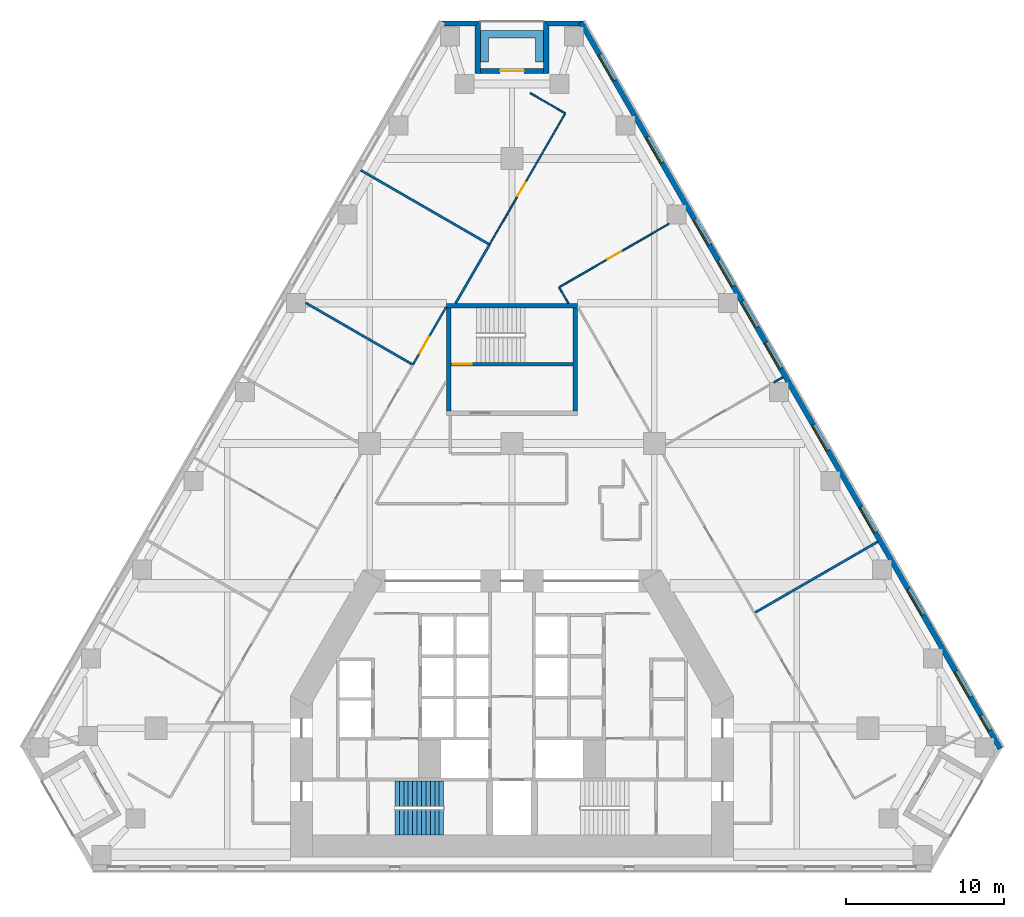
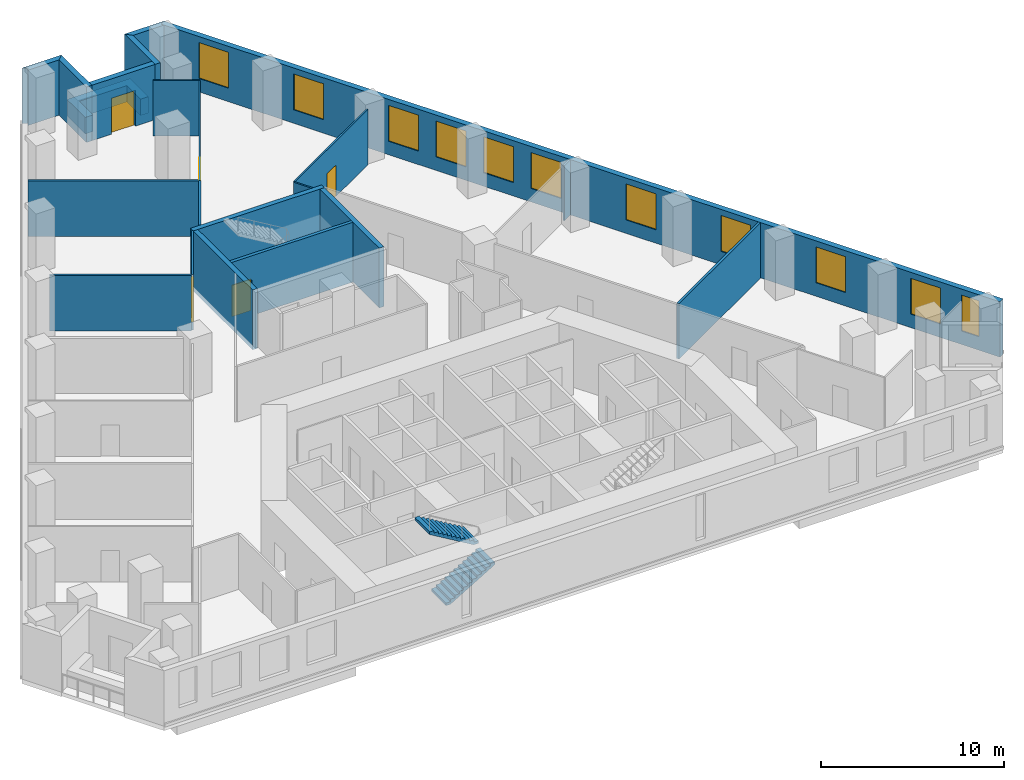
# One storey, part 7 of 9: 21 walls, 11 windows, 5 doors, 2 stair flights, 16 openings, 1 element without a shape of its own.
"""IFC4 building model written with IfcOpenShell, lengths in metres."""

from ifc_helpers import new_model, si_unit, direction, frame, frame_2d, origin, place, context, subcontext, project, spatial, polyline, rectangle, outline, extrude, material, layer, layer_set, type_object, element, fill, aggregate, save


model = new_model("IFC4")

# Units and contexts
model_context = context("Model", 3, precision=1e-05, world=origin(), true_north=direction((0.0, 1.0)))
body_context = subcontext(model_context, "Body", "Model", "MODEL_VIEW")
ifc_project = project(units=[si_unit("LENGTHUNIT", "METRE"), si_unit("AREAUNIT", "SQUARE_METRE"), si_unit("VOLUMEUNIT", "CUBIC_METRE"), si_unit("PLANEANGLEUNIT", "RADIAN"), si_unit("MASSUNIT", "GRAM", prefix="KILO")], contexts=[model_context])

# Site, building, storey
site_placement = place(None, origin())
site = spatial("IfcSite", under=ifc_project, at=site_placement, CompositionType="ELEMENT")
building_placement = place(site_placement, origin())
building = spatial("IfcBuilding", under=site, at=building_placement, Name="Fogline Exchange Tower", CompositionType="ELEMENT")
storey_placement = place(building_placement, frame((0.0, 0.0, 76.89990234375)))
storey = spatial("IfcBuildingStorey", under=building, at=storey_placement, Name="L16", CompositionType="ELEMENT", Elevation=76.89990234375)

# Wall, opening, door
ifc_material_1 = material(Name="Concrete C40", Category="concrete")
ifc_layer_1 = layer(ifc_material_1, 0.199951171875)
ifc_layer_set_1 = layer_set([ifc_layer_1], Name="CW20R")
wall_type_1 = type_object("IfcWallType", Name="CW20R", PredefinedType="SOLIDWALL", material=ifc_layer_set_1)
wall_1_placement = place(storey_placement, frame((-3.85009765625, 32.007080078125, -0.2998046875), z_axis=(0.0, 0.0, 1.0), x_axis=(1.0, 0.0, 0.0)))
wall_1 = element("IfcWall", 1, at=wall_1_placement, inside=storey, type_object=wall_type_1, Name="Stair enclosure wall ST3", PredefinedType="SOLIDWALL", context=body_context, shape_type="SweptSolid", body=[
    extrude(rectangle(XDim=7.7001953125, YDim=0.199951171875, at=frame_2d((3.85009765625, 0.0))), origin(), (0.0, 0.0, 1.0), 4.0),
])
opening_1_placement = place(wall_1_placement, frame((0.10009765625, 0.0, 0.300048828125)))
opening_1 = element("IfcOpeningElement", 2, at=opening_1_placement, cuts=wall_1, Name="Opening T05-C024", PredefinedType="OPENING", context=body_context, shape_type="SweptSolid", body=[
    extrude(rectangle(XDim=1.199951171875, YDim=2.10009765625, at=frame_2d((0.60009765625, 1.050048828125))), frame((0.0, 0.10986328125, 0.0), z_axis=(0.0, -1.0, 0.0), x_axis=(1.0, 0.0, 0.0)), (0.0, 0.0, 1.0), 0.219970703125),
])
ifc_material_2 = material(Name="Steel and timber fire door", Category="steel")
door_type_1 = type_object("IfcDoorType", Name="D-ST1", OperationType="SINGLE_SWING_LEFT", PredefinedType="DOOR", material=ifc_material_2)
door_1_placement = place(opening_1_placement, origin())
door_1 = element("IfcDoor", 3, at=door_1_placement, inside=storey, type_object=door_type_1, Name="Stair door ST3", OperationType="SINGLE_SWING_LEFT", OverallHeight=2.10009765625, OverallWidth=1.199951171875, PredefinedType="DOOR", context=body_context, shape_type="SweptSolid", body=[
    extrude(rectangle(XDim=1.199951171875, YDim=2.10009765625, at=frame_2d((0.60009765625, 1.050048828125))), frame((0.0, 0.02490234375, 0.0), z_axis=(0.0, -1.0, 0.0), x_axis=(1.0, 0.0, 0.0)), (0.0, 0.0, 1.0), 0.050048828125),
])
fill(opening_1, door_1)

# Walls
ifc_layer_2 = layer(ifc_material_1, 0.300048828125)
ifc_layer_set_2 = layer_set([ifc_layer_2], Name="CW30")
wall_type_2 = type_object("IfcWallType", Name="CW30", PredefinedType="SOLIDWALL", material=ifc_layer_set_2)
wall_2_placement = place(storey_placement, frame((-4.14990234375, 35.70703125, -0.2998046875), z_axis=(0.0, 0.0, 1.0), x_axis=(1.0, 0.0, 0.0)))
element("IfcWall", 4, at=wall_2_placement, inside=storey, type_object=wall_type_2, Name="Stair enclosure wall ST3", PredefinedType="SOLIDWALL", context=body_context, shape_type="SweptSolid", body=[
    extrude(rectangle(XDim=8.2998046875, YDim=0.300048828125, at=frame_2d((4.14990234375, 0.0))), origin(), (0.0, 0.0, 1.0), 4.0),
])
for number, where, z_axis, x_axis, name in (
    (5, (-4.0, 29.056884765625, -0.2998046875), (0.0, 0.0, 1.0), (0.0, 1.0, 0.0), "Stair enclosure wall ST3"),
    (6, (4.0, 29.056884765625, -0.2998046875), (0.0, 0.0, 1.0), (0.0, 1.0, 0.0), "Stair enclosure wall ST3"),
):
    element("IfcWall", number, at=place(storey_placement, frame(where, z_axis=z_axis, x_axis=x_axis)), inside=storey, type_object=wall_type_2, Name=name, PredefinedType="SOLIDWALL", context=body_context, shape_type="SweptSolid", body=[
        extrude(rectangle(XDim=6.5, YDim=0.300048828125, at=frame_2d((3.25, 0.0))), origin(), (0.0, 0.0, 1.0), 4.0),
    ])

# Wall, openings, windows
ifc_material_3 = material(Name="Brick masonry", Category="masonry")
ifc_layer_3 = layer(ifc_material_3, 0.340087890625)
ifc_layer_set_3 = layer_set([ifc_layer_3], Name="FW1")
wall_type_3 = type_object("IfcWallType", Name="FW1", PredefinedType="SOLIDWALL", material=ifc_layer_set_3)
wall_3_placement = place(storey_placement, frame((30.86328125, 7.709228515625, 0.0), z_axis=(0.0, 0.0, 1.0), x_axis=(-0.500000400847, 0.866025172355, 0.0)))
wall_3 = element("IfcWall", 7, at=wall_3_placement, inside=storey, type_object=wall_type_3, Name="Brick wall L16 E", PredefinedType="SOLIDWALL", context=body_context, shape_type="SweptSolid", body=[
    extrude(rectangle(XDim=53.02099609375, YDim=0.340087890625, at=frame_2d((26.510498046875, 0.0))), origin(), (0.0, 0.0, 1.0), 3.7001953125),
])
opening_2_placement = place(wall_3_placement, frame((3.755126953125, 0.0, 0.89990234375)))
opening_2 = element("IfcOpeningElement", 8, at=opening_2_placement, cuts=wall_3, Name="Opening W1", PredefinedType="OPENING", context=body_context, shape_type="SweptSolid", body=[
    extrude(rectangle(XDim=1.885009765625, YDim=2.39990234375, at=frame_2d((0.9423828125, 1.199951171875))), frame((0.0, 0.18017578125, 0.0), z_axis=(0.0, -1.0, 0.0), x_axis=(1.0, 0.0, 0.0)), (0.0, 0.0, 1.0), 0.360107421875),
])
opening_3_placement = place(wall_3_placement, frame((9.755126953125, 0.0, 0.89990234375)))
opening_3 = element("IfcOpeningElement", 9, at=opening_3_placement, cuts=wall_3, Name="Opening W1", PredefinedType="OPENING", context=body_context, shape_type="SweptSolid", body=[
    extrude(rectangle(XDim=1.885009765625, YDim=2.39990234375, at=frame_2d((0.9423828125, 1.199951171875))), frame((0.0, 0.18017578125, 0.0), z_axis=(0.0, -1.0, 0.0), x_axis=(1.0, 0.0, 0.0)), (0.0, 0.0, 1.0), 0.360107421875),
])
opening_4_placement = place(wall_3_placement, frame((15.755126953125, 0.0, 0.89990234375)))
opening_4 = element("IfcOpeningElement", 10, at=opening_4_placement, cuts=wall_3, Name="Opening W1", PredefinedType="OPENING", context=body_context, shape_type="SweptSolid", body=[
    extrude(rectangle(XDim=1.885009765625, YDim=2.39990234375, at=frame_2d((0.9423828125, 1.199951171875))), frame((0.0, 0.18017578125, 0.0), z_axis=(0.0, -1.0, 0.0), x_axis=(1.0, 0.0, 0.0)), (0.0, 0.0, 1.0), 0.360107421875),
])
opening_5_placement = place(wall_3_placement, frame((21.755126953125, 0.0, 0.89990234375)))
opening_5 = element("IfcOpeningElement", 11, at=opening_5_placement, cuts=wall_3, Name="Opening W1", PredefinedType="OPENING", context=body_context, shape_type="SweptSolid", body=[
    extrude(rectangle(XDim=1.885009765625, YDim=2.39990234375, at=frame_2d((0.9423828125, 1.199951171875))), frame((0.0, 0.18017578125, 0.0), z_axis=(0.0, -1.0, 0.0), x_axis=(1.0, 0.0, 0.0)), (0.0, 0.0, 1.0), 0.360107421875),
])
opening_6_placement = place(wall_3_placement, frame((27.755126953125, 0.0, 0.89990234375)))
opening_6 = element("IfcOpeningElement", 12, at=opening_6_placement, cuts=wall_3, Name="Opening W1", PredefinedType="OPENING", context=body_context, shape_type="SweptSolid", body=[
    extrude(rectangle(XDim=1.885009765625, YDim=2.39990234375, at=frame_2d((0.9423828125, 1.199951171875))), frame((0.0, 0.18017578125, 0.0), z_axis=(0.0, -1.0, 0.0), x_axis=(1.0, 0.0, 0.0)), (0.0, 0.0, 1.0), 0.360107421875),
])
opening_7_placement = place(wall_3_placement, frame((30.755126953125, 0.0, 0.89990234375)))
opening_7 = element("IfcOpeningElement", 13, at=opening_7_placement, cuts=wall_3, Name="Opening W1", PredefinedType="OPENING", context=body_context, shape_type="SweptSolid", body=[
    extrude(rectangle(XDim=1.885009765625, YDim=2.39990234375, at=frame_2d((0.9423828125, 1.199951171875))), frame((0.0, 0.18017578125, 0.0), z_axis=(0.0, -1.0, 0.0), x_axis=(1.0, 0.0, 0.0)), (0.0, 0.0, 1.0), 0.360107421875),
])
opening_8_placement = place(wall_3_placement, frame((33.755126953125, 0.0, 0.89990234375)))
opening_8 = element("IfcOpeningElement", 14, at=opening_8_placement, cuts=wall_3, Name="Opening W1", PredefinedType="OPENING", context=body_context, shape_type="SweptSolid", body=[
    extrude(rectangle(XDim=1.885009765625, YDim=2.39990234375, at=frame_2d((0.9423828125, 1.199951171875))), frame((0.0, 0.18017578125, 0.0), z_axis=(0.0, -1.0, 0.0), x_axis=(1.0, 0.0, 0.0)), (0.0, 0.0, 1.0), 0.360107421875),
])
opening_9_placement = place(wall_3_placement, frame((36.755126953125, 0.0, 0.89990234375)))
opening_9 = element("IfcOpeningElement", 15, at=opening_9_placement, cuts=wall_3, Name="Opening W1", PredefinedType="OPENING", context=body_context, shape_type="SweptSolid", body=[
    extrude(rectangle(XDim=1.885009765625, YDim=2.39990234375, at=frame_2d((0.9423828125, 1.199951171875))), frame((0.0, 0.18017578125, 0.0), z_axis=(0.0, -1.0, 0.0), x_axis=(1.0, 0.0, 0.0)), (0.0, 0.0, 1.0), 0.360107421875),
])
opening_10_placement = place(wall_3_placement, frame((42.755126953125, 0.0, 0.89990234375)))
opening_10 = element("IfcOpeningElement", 16, at=opening_10_placement, cuts=wall_3, Name="Opening W1", PredefinedType="OPENING", context=body_context, shape_type="SweptSolid", body=[
    extrude(rectangle(XDim=1.885009765625, YDim=2.39990234375, at=frame_2d((0.9423828125, 1.199951171875))), frame((0.0, 0.18017578125, 0.0), z_axis=(0.0, -1.0, 0.0), x_axis=(1.0, 0.0, 0.0)), (0.0, 0.0, 1.0), 0.360107421875),
])
opening_11_placement = place(wall_3_placement, frame((48.755126953125, 0.0, 0.89990234375)))
opening_11 = element("IfcOpeningElement", 17, at=opening_11_placement, cuts=wall_3, Name="Opening W1", PredefinedType="OPENING", context=body_context, shape_type="SweptSolid", body=[
    extrude(rectangle(XDim=1.885009765625, YDim=2.39990234375, at=frame_2d((0.9423828125, 1.199951171875))), frame((0.0, 0.18017578125, 0.0), z_axis=(0.0, -1.0, 0.0), x_axis=(1.0, 0.0, 0.0)), (0.0, 0.0, 1.0), 0.360107421875),
])
opening_12_placement = place(wall_3_placement, frame((1.320068359375, 0.0, 0.89990234375)))
opening_12 = element("IfcOpeningElement", 18, at=opening_12_placement, cuts=wall_3, Name="Opening W4", PredefinedType="OPENING", context=body_context, shape_type="SweptSolid", body=[
    extrude(rectangle(XDim=1.114990234375, YDim=2.39990234375, at=frame_2d((0.5576171875, 1.199951171875))), frame((0.0, 0.18017578125, 0.0), z_axis=(0.0, -1.0, 0.0), x_axis=(1.0, 0.0, 0.0)), (0.0, 0.0, 1.0), 0.360107421875),
])
ifc_material_4 = material(Name="Aluminium and glass", Category="aluminium")
window_type_1 = type_object("IfcWindowType", Name="W1", PartitioningType="SINGLE_PANEL", PredefinedType="WINDOW", material=ifc_material_4)
window_1_placement = place(opening_2_placement, origin())
window_1 = element("IfcWindow", 19, at=window_1_placement, inside=storey, type_object=window_type_1, Name="W1 W1", OverallHeight=2.39990234375, OverallWidth=1.885009765625, PartitioningType="SINGLE_PANEL", PredefinedType="WINDOW", context=body_context, shape_type="SweptSolid", body=[
    extrude(rectangle(XDim=1.885009765625, YDim=2.39990234375, at=frame_2d((0.9423828125, 1.199951171875))), frame((0.0, 0.110107421875, 0.0), z_axis=(0.0, -1.0, 0.0), x_axis=(1.0, 0.0, 0.0)), (0.0, 0.0, 1.0), 0.06005859375),
])
fill(opening_2, window_1)
window_2_placement = place(opening_3_placement, origin())
window_2 = element("IfcWindow", 20, at=window_2_placement, inside=storey, type_object=window_type_1, Name="W1 W1", OverallHeight=2.39990234375, OverallWidth=1.885009765625, PartitioningType="SINGLE_PANEL", PredefinedType="WINDOW", context=body_context, shape_type="SweptSolid", body=[
    extrude(rectangle(XDim=1.885009765625, YDim=2.39990234375, at=frame_2d((0.9423828125, 1.199951171875))), frame((0.0, 0.110107421875, 0.0), z_axis=(0.0, -1.0, 0.0), x_axis=(1.0, 0.0, 0.0)), (0.0, 0.0, 1.0), 0.06005859375),
])
fill(opening_3, window_2)
window_3_placement = place(opening_4_placement, origin())
window_3 = element("IfcWindow", 21, at=window_3_placement, inside=storey, type_object=window_type_1, Name="W1 W1", OverallHeight=2.39990234375, OverallWidth=1.885009765625, PartitioningType="SINGLE_PANEL", PredefinedType="WINDOW", context=body_context, shape_type="SweptSolid", body=[
    extrude(rectangle(XDim=1.885009765625, YDim=2.39990234375, at=frame_2d((0.9423828125, 1.199951171875))), frame((0.0, 0.110107421875, 0.0), z_axis=(0.0, -1.0, 0.0), x_axis=(1.0, 0.0, 0.0)), (0.0, 0.0, 1.0), 0.06005859375),
])
fill(opening_4, window_3)
window_4_placement = place(opening_5_placement, origin())
window_4 = element("IfcWindow", 22, at=window_4_placement, inside=storey, type_object=window_type_1, Name="W1 W1", OverallHeight=2.39990234375, OverallWidth=1.885009765625, PartitioningType="SINGLE_PANEL", PredefinedType="WINDOW", context=body_context, shape_type="SweptSolid", body=[
    extrude(rectangle(XDim=1.885009765625, YDim=2.39990234375, at=frame_2d((0.9423828125, 1.199951171875))), frame((0.0, 0.110107421875, 0.0), z_axis=(0.0, -1.0, 0.0), x_axis=(1.0, 0.0, 0.0)), (0.0, 0.0, 1.0), 0.06005859375),
])
fill(opening_5, window_4)
window_5_placement = place(opening_6_placement, origin())
window_5 = element("IfcWindow", 23, at=window_5_placement, inside=storey, type_object=window_type_1, Name="W1 W1", OverallHeight=2.39990234375, OverallWidth=1.885009765625, PartitioningType="SINGLE_PANEL", PredefinedType="WINDOW", context=body_context, shape_type="SweptSolid", body=[
    extrude(rectangle(XDim=1.885009765625, YDim=2.39990234375, at=frame_2d((0.9423828125, 1.199951171875))), frame((0.0, 0.110107421875, 0.0), z_axis=(0.0, -1.0, 0.0), x_axis=(1.0, 0.0, 0.0)), (0.0, 0.0, 1.0), 0.06005859375),
])
fill(opening_6, window_5)
window_6_placement = place(opening_7_placement, origin())
window_6 = element("IfcWindow", 24, at=window_6_placement, inside=storey, type_object=window_type_1, Name="W1 W1", OverallHeight=2.39990234375, OverallWidth=1.885009765625, PartitioningType="SINGLE_PANEL", PredefinedType="WINDOW", context=body_context, shape_type="SweptSolid", body=[
    extrude(rectangle(XDim=1.885009765625, YDim=2.39990234375, at=frame_2d((0.9423828125, 1.199951171875))), frame((0.0, 0.110107421875, 0.0), z_axis=(0.0, -1.0, 0.0), x_axis=(1.0, 0.0, 0.0)), (0.0, 0.0, 1.0), 0.06005859375),
])
fill(opening_7, window_6)
window_7_placement = place(opening_8_placement, origin())
window_7 = element("IfcWindow", 25, at=window_7_placement, inside=storey, type_object=window_type_1, Name="W1 W1", OverallHeight=2.39990234375, OverallWidth=1.885009765625, PartitioningType="SINGLE_PANEL", PredefinedType="WINDOW", context=body_context, shape_type="SweptSolid", body=[
    extrude(rectangle(XDim=1.885009765625, YDim=2.39990234375, at=frame_2d((0.9423828125, 1.199951171875))), frame((0.0, 0.110107421875, 0.0), z_axis=(0.0, -1.0, 0.0), x_axis=(1.0, 0.0, 0.0)), (0.0, 0.0, 1.0), 0.06005859375),
])
fill(opening_8, window_7)
window_8_placement = place(opening_9_placement, origin())
window_8 = element("IfcWindow", 26, at=window_8_placement, inside=storey, type_object=window_type_1, Name="W1 W1", OverallHeight=2.39990234375, OverallWidth=1.885009765625, PartitioningType="SINGLE_PANEL", PredefinedType="WINDOW", context=body_context, shape_type="SweptSolid", body=[
    extrude(rectangle(XDim=1.885009765625, YDim=2.39990234375, at=frame_2d((0.9423828125, 1.199951171875))), frame((0.0, 0.110107421875, 0.0), z_axis=(0.0, -1.0, 0.0), x_axis=(1.0, 0.0, 0.0)), (0.0, 0.0, 1.0), 0.06005859375),
])
fill(opening_9, window_8)
window_9_placement = place(opening_10_placement, origin())
window_9 = element("IfcWindow", 27, at=window_9_placement, inside=storey, type_object=window_type_1, Name="W1 W1", OverallHeight=2.39990234375, OverallWidth=1.885009765625, PartitioningType="SINGLE_PANEL", PredefinedType="WINDOW", context=body_context, shape_type="SweptSolid", body=[
    extrude(rectangle(XDim=1.885009765625, YDim=2.39990234375, at=frame_2d((0.9423828125, 1.199951171875))), frame((0.0, 0.110107421875, 0.0), z_axis=(0.0, -1.0, 0.0), x_axis=(1.0, 0.0, 0.0)), (0.0, 0.0, 1.0), 0.06005859375),
])
fill(opening_10, window_9)
window_10_placement = place(opening_11_placement, origin())
window_10 = element("IfcWindow", 28, at=window_10_placement, inside=storey, type_object=window_type_1, Name="W1 W1", OverallHeight=2.39990234375, OverallWidth=1.885009765625, PartitioningType="SINGLE_PANEL", PredefinedType="WINDOW", context=body_context, shape_type="SweptSolid", body=[
    extrude(rectangle(XDim=1.885009765625, YDim=2.39990234375, at=frame_2d((0.9423828125, 1.199951171875))), frame((0.0, 0.110107421875, 0.0), z_axis=(0.0, -1.0, 0.0), x_axis=(1.0, 0.0, 0.0)), (0.0, 0.0, 1.0), 0.06005859375),
])
fill(opening_11, window_10)
window_type_2 = type_object("IfcWindowType", Name="W4", PartitioningType="SINGLE_PANEL", PredefinedType="WINDOW", material=ifc_material_4)
window_11_placement = place(opening_12_placement, origin())
window_11 = element("IfcWindow", 29, at=window_11_placement, inside=storey, type_object=window_type_2, Name="W4 W4", OverallHeight=2.39990234375, OverallWidth=1.114990234375, PartitioningType="SINGLE_PANEL", PredefinedType="WINDOW", context=body_context, shape_type="SweptSolid", body=[
    extrude(rectangle(XDim=1.114990234375, YDim=2.39990234375, at=frame_2d((0.5576171875, 1.199951171875))), frame((0.0, 0.110107421875, 0.0), z_axis=(0.0, -1.0, 0.0), x_axis=(1.0, 0.0, 0.0)), (0.0, 0.0, 1.0), 0.06005859375),
])
fill(opening_12, window_11)

# Walls
wall_4_placement = place(storey_placement, origin())
element("IfcWall", 30, at=wall_4_placement, inside=storey, type_object=wall_type_3, Name="Brick wall L16 N-c1", PredefinedType="SOLIDWALL", context=body_context, shape_type="SweptSolid", body=[
    extrude(outline(polyline([(1.9990234375, 53.712158203125), (4.5009765625, 53.712158203125), (4.501220703125, 53.711669921875), (4.206298828125, 53.54150390625), (4.3046875, 53.37109375), (2.33984375, 53.37109375), (1.998779296875, 53.7119140625), (1.9990234375, 53.712158203125)])), origin(), (0.0, 0.0, 1.0), 3.7001953125),
])
wall_5_placement = place(storey_placement, origin())
element("IfcWall", 31, at=wall_5_placement, inside=storey, type_object=wall_type_3, Name="Brick wall L16 N-s1", PredefinedType="SOLIDWALL", context=body_context, shape_type="SweptSolid", body=[
    extrude(outline(polyline([(2.340576171875, 50.37109375), (1.99951171875, 50.37109375), (1.99951171875, 53.712646484375), (1.999755859375, 53.712890625), (2.340576171875, 53.371826171875), (2.340576171875, 50.37109375)])), origin(), (0.0, 0.0, 1.0), 3.7001953125),
])

# Wall, opening, door
wall_6_placement = place(storey_placement, frame((2.0, 50.541748046875, 0.0), z_axis=(0.0, 0.0, 1.0), x_axis=(-1.0, 0.0, 0.0)))
wall_6 = element("IfcWall", 32, at=wall_6_placement, inside=storey, type_object=wall_type_3, Name="Brick wall L16 N-bk", PredefinedType="SOLIDWALL", context=body_context, shape_type="SweptSolid", body=[
    extrude(rectangle(XDim=4.0, YDim=0.340087890625, at=frame_2d((2.0, 0.0))), origin(), (0.0, 0.0, 1.0), 3.7001953125),
])
opening_13_placement = place(wall_6_placement, frame((1.25, 0.0, 0.0)))
opening_13 = element("IfcOpeningElement", 33, at=opening_13_placement, cuts=wall_6, Name="Opening T05-E141", PredefinedType="OPENING", context=body_context, shape_type="SweptSolid", body=[
    extrude(rectangle(XDim=1.5, YDim=2.39990234375, at=frame_2d((0.75, 1.199951171875))), frame((0.0, 0.18017578125, 0.0), z_axis=(0.0, -1.0, 0.0), x_axis=(1.0, 0.0, 0.0)), (0.0, 0.0, 1.0), 0.360107421875),
])
door_type_2 = type_object("IfcDoorType", Name="ED4", OperationType="SINGLE_SWING_LEFT", PredefinedType="DOOR", material=ifc_material_4)
door_2_placement = place(opening_13_placement, frame((1.5, 0.0, 0.0), z_axis=(0.0, 0.0, 1.0), x_axis=(-1.0, 0.0, 0.0)))
door_2 = element("IfcDoor", 34, at=door_2_placement, inside=storey, type_object=door_type_2, Name="Balcony door L16 N", OperationType="DOUBLE_DOOR_SINGLE_SWING", OverallHeight=2.39990234375, OverallWidth=1.5, PredefinedType="DOOR", context=body_context, shape_type="SweptSolid", body=[
    extrude(rectangle(XDim=1.5, YDim=2.39990234375, at=frame_2d((0.75, 1.199951171875))), frame((0.0, 0.02490234375, 0.0), z_axis=(0.0, -1.0, 0.0), x_axis=(1.0, 0.0, 0.0)), (0.0, 0.0, 1.0), 0.050048828125),
])
fill(opening_13, door_2)

# Walls
wall_7_placement = place(storey_placement, origin())
element("IfcWall", 35, at=wall_7_placement, inside=storey, type_object=wall_type_3, Name="Brick wall L16 N-s2", PredefinedType="SOLIDWALL", context=body_context, shape_type="SweptSolid", body=[
    extrude(outline(polyline([(-1.99951171875, 53.712646484375), (-1.99951171875, 50.37109375), (-2.340576171875, 50.37109375), (-2.340576171875, 53.371826171875), (-1.999755859375, 53.712890625), (-1.99951171875, 53.712646484375)])), origin(), (0.0, 0.0, 1.0), 3.7001953125),
])
wall_8_placement = place(storey_placement, origin())
element("IfcWall", 36, at=wall_8_placement, inside=storey, type_object=wall_type_3, Name="Brick wall L16 N-c2", PredefinedType="SOLIDWALL", context=body_context, shape_type="SweptSolid", body=[
    extrude(outline(polyline([(-4.3046875, 53.37109375), (-4.206298828125, 53.54150390625), (-4.501220703125, 53.711669921875), (-4.5009765625, 53.712158203125), (-1.9990234375, 53.712158203125), (-1.998779296875, 53.7119140625), (-2.33984375, 53.37109375), (-4.3046875, 53.37109375)])), origin(), (0.0, 0.0, 1.0), 3.7001953125),
])
ifc_material_5 = material(Name="Concrete C30", Category="concrete")
ifc_layer_4 = layer(ifc_material_5, 0.199951171875)
ifc_layer_set_4 = layer_set([ifc_layer_4], Name="PL1")
wall_type_4 = type_object("IfcWallType", Name="PL1", PredefinedType="USERDEFINED", material=ifc_layer_set_4)
wall_9_placement = place(storey_placement, origin())
element("IfcWall", 37, at=wall_9_placement, inside=storey, type_object=wall_type_4, Name="PLANTER balcony L16 N", ObjectType="PLANTER", PredefinedType="USERDEFINED", context=body_context, shape_type="SweptSolid", body=[
    extrude(outline(polyline([(-1.5, 53.11181640625), (-2.0, 53.11181640625), (-2.0, 52.61181640625), (-2.0, 51.11181640625), (-1.5, 51.11181640625), (-1.5, 52.61181640625), (1.5, 52.61181640625), (1.5, 51.11181640625), (2.0, 51.11181640625), (2.0, 52.61181640625), (2.0, 53.11181640625), (1.5, 53.11181640625), (-1.5, 53.11181640625)])), origin(), (0.0, 0.0, 1.0), 1.10009765625),
])
ifc_material_6 = material(Name="Plasterboard partition, 2 layers each side on steel studs", Category="steel")
ifc_layer_5 = layer(ifc_material_6, 0.10009765625)
ifc_layer_set_5 = layer_set([ifc_layer_5], Name="PW1")
wall_type_5 = type_object("IfcWallType", Name="PW1", PredefinedType="PARTITIONING", material=ifc_layer_set_5)
wall_10_placement = place(storey_placement, frame((16.553955078125, 30.852783203125, 0.0), z_axis=(0.0, 0.0, 1.0), x_axis=(0.866016800201, 0.500014901547, 0.0)))
element("IfcWall", 38, at=wall_10_placement, inside=storey, type_object=wall_type_5, Name="wall-L16-W033", PredefinedType="PARTITIONING", context=body_context, shape_type="SweptSolid", body=[
    extrude(rectangle(XDim=0.650390625, YDim=0.10009765625, at=frame_2d((0.3251953125, 0.0))), origin(), (0.0, 0.0, 1.0), 3.7001953125),
])
wall_11_placement = place(storey_placement, frame((3.5615234375, 35.85693359375, 0.0), z_axis=(0.0, 0.0, 1.0), x_axis=(-0.499909086075, 0.866077886601, 0.0)))
element("IfcWall", 39, at=wall_11_placement, inside=storey, type_object=wall_type_5, Name="wall-L16-W035", PredefinedType="PARTITIONING", context=body_context, shape_type="SweptSolid", body=[
    extrude(rectangle(XDim=1.170166015625, YDim=0.10009765625, at=frame_2d((0.5849609375, 0.0))), origin(), (0.0, 0.0, 1.0), 3.7001953125),
])

# Wall, opening, door
wall_12_placement = place(storey_placement, frame((3.019775390625, 36.8955078125, 0.0), z_axis=(0.0, 0.0, 1.0), x_axis=(0.866030075383, 0.499991908467, 0.0)))
wall_12 = element("IfcWall", 40, at=wall_12_placement, inside=storey, type_object=wall_type_5, Name="wall-L16-W036", PredefinedType="PARTITIONING", context=body_context, shape_type="SweptSolid", body=[
    extrude(rectangle(XDim=7.973876953125, YDim=0.10009765625, at=frame_2d((3.98681640625, 0.0))), origin(), (0.0, 0.0, 1.0), 3.7001953125),
])
opening_14_placement = place(wall_12_placement, frame((3.48681640625, 0.0, 0.0)))
opening_14 = element("IfcOpeningElement", 41, at=opening_14_placement, cuts=wall_12, Name="Opening T05-D015", PredefinedType="OPENING", context=body_context, shape_type="SweptSolid", body=[
    extrude(rectangle(XDim=1.0, YDim=2.10009765625, at=frame_2d((0.5, 1.050048828125))), frame((0.0, 0.06005859375, 0.0), z_axis=(0.0, -1.0, 0.0), x_axis=(1.0, 0.0, 0.0)), (0.0, 0.0, 1.0), 0.1201171875),
])
ifc_material_7 = material(Name="Timber door leaf with steel frame", Category="steel")
door_type_3 = type_object("IfcDoorType", Name="D1", OperationType="SINGLE_SWING_LEFT", PredefinedType="DOOR", material=ifc_material_7)
door_3_placement = place(opening_14_placement, frame((1.0, 0.0, 0.0), z_axis=(0.0, 0.0, 1.0), x_axis=(-1.0, 0.0, 0.0)))
door_3 = element("IfcDoor", 42, at=door_3_placement, inside=storey, type_object=door_type_3, Name="door-L16-D015", OperationType="SINGLE_SWING_RIGHT", OverallHeight=2.10009765625, OverallWidth=1.0, PredefinedType="DOOR", context=body_context, shape_type="SweptSolid", body=[
    extrude(rectangle(XDim=1.0, YDim=2.10009765625, at=frame_2d((0.5, 1.050048828125))), frame((0.0, 0.02490234375, 0.0), z_axis=(0.0, -1.0, 0.0), x_axis=(1.0, 0.0, 0.0)), (0.0, 0.0, 1.0), 0.050048828125),
])
fill(opening_14, door_3)

wall_13_placement = place(storey_placement, frame((-1.4189453125, 39.568115234375, 0.0), z_axis=(0.0, 0.0, 1.0), x_axis=(0.499998303669, 0.866026383159, 0.0)))
wall_13 = element("IfcWall", 43, at=wall_13_placement, inside=storey, type_object=wall_type_5, Name="wall-L16-W037", PredefinedType="PARTITIONING", context=body_context, shape_type="SweptSolid", body=[
    extrude(rectangle(XDim=9.525390625, YDim=0.10009765625, at=frame_2d((4.7626953125, 0.0))), origin(), (0.0, 0.0, 1.0), 3.7001953125),
])
opening_15_placement = place(wall_13_placement, frame((3.533203125, 0.0, 0.0)))
opening_15 = element("IfcOpeningElement", 44, at=opening_15_placement, cuts=wall_13, Name="Opening T05-D016", PredefinedType="OPENING", context=body_context, shape_type="SweptSolid", body=[
    extrude(rectangle(XDim=1.0, YDim=2.10009765625, at=frame_2d((0.5, 1.050048828125))), frame((0.0, 0.06005859375, 0.0), z_axis=(0.0, -1.0, 0.0), x_axis=(1.0, 0.0, 0.0)), (0.0, 0.0, 1.0), 0.1201171875),
])
door_4_placement = place(opening_15_placement, origin())
door_4 = element("IfcDoor", 45, at=door_4_placement, inside=storey, type_object=door_type_3, Name="door-L16-D016", OperationType="SINGLE_SWING_LEFT", OverallHeight=2.10009765625, OverallWidth=1.0, PredefinedType="DOOR", context=body_context, shape_type="SweptSolid", body=[
    extrude(rectangle(XDim=1.0, YDim=2.10009765625, at=frame_2d((0.5, 1.050048828125))), frame((0.0, 0.02490234375, 0.0), z_axis=(0.0, -1.0, 0.0), x_axis=(1.0, 0.0, 0.0)), (0.0, 0.0, 1.0), 0.050048828125),
])
fill(opening_15, door_4)

# Wall
wall_14_placement = place(storey_placement, frame((3.36865234375, 47.860595703125, 0.0), z_axis=(0.0, 0.0, 1.0), x_axis=(-0.866023722158, 0.50000291265, 0.0)))
element("IfcWall", 46, at=wall_14_placement, inside=storey, type_object=wall_type_5, Name="wall-L16-W038", PredefinedType="PARTITIONING", context=body_context, shape_type="SweptSolid", body=[
    extrude(rectangle(XDim=2.56201171875, YDim=0.10009765625, at=frame_2d((1.281005859375, 0.0))), origin(), (0.0, 0.0, 1.0), 3.7001953125),
])

# Wall, opening, door
ifc_material_8 = material(Name="Plasterboard corridor partition with mineral wool, 2 layers each side")
ifc_layer_6 = layer(ifc_material_8, 0.125)
ifc_layer_set_6 = layer_set([ifc_layer_6], Name="PW2")
wall_type_6 = type_object("IfcWallType", Name="PW2", PredefinedType="PARTITIONING", material=ifc_layer_set_6)
wall_15_placement = place(storey_placement, frame((-6.265380859375, 31.973876953125, 0.0), z_axis=(0.0, 0.0, 1.0), x_axis=(0.500005503224, 0.866022226473, 0.0)))
wall_15 = element("IfcWall", 47, at=wall_15_placement, inside=storey, type_object=wall_type_6, Name="wall-L16-W010", PredefinedType="PARTITIONING", context=body_context, shape_type="SweptSolid", body=[
    extrude(rectangle(XDim=4.23095703125, YDim=0.125, at=frame_2d((2.115478515625, 0.0))), origin(), (0.0, 0.0, 1.0), 3.7001953125),
])
opening_16_placement = place(wall_15_placement, frame((0.8251953125, 0.0, 0.0)))
opening_16 = element("IfcOpeningElement", 48, at=opening_16_placement, cuts=wall_15, Name="Opening T05-D005", PredefinedType="OPENING", context=body_context, shape_type="SweptSolid", body=[
    extrude(rectangle(XDim=1.199951171875, YDim=2.10009765625, at=frame_2d((0.60009765625, 1.050048828125))), frame((0.0, 0.072509765625, 0.0), z_axis=(0.0, -1.0, 0.0), x_axis=(1.0, 0.0, 0.0)), (0.0, 0.0, 1.0), 0.14501953125),
])
ifc_material_9 = material(Name="Fire-rated glazed door leaf with steel frame", Category="steel")
door_type_4 = type_object("IfcDoorType", Name="D5", OperationType="SINGLE_SWING_LEFT", PredefinedType="DOOR", material=ifc_material_9)
door_5_placement = place(opening_16_placement, origin())
door_5 = element("IfcDoor", 49, at=door_5_placement, inside=storey, type_object=door_type_4, Name="door-L16-D005", OperationType="SINGLE_SWING_LEFT", OverallHeight=2.10009765625, OverallWidth=1.199951171875, PredefinedType="DOOR", context=body_context, shape_type="SweptSolid", body=[
    extrude(rectangle(XDim=1.199951171875, YDim=2.10009765625, at=frame_2d((0.60009765625, 1.050048828125))), frame((0.0, 0.02490234375, 0.0), z_axis=(0.0, -1.0, 0.0), x_axis=(1.0, 0.0, 0.0)), (0.0, 0.0, 1.0), 0.050048828125),
])
fill(opening_16, door_5)

# Walls
ifc_material_10 = material(Name="Plasterboard demising partition with mineral wool and acoustic board")
ifc_layer_7 = layer(ifc_material_10, 0.14990234375)
ifc_layer_set_7 = layer_set([ifc_layer_7], Name="PW3")
wall_type_7 = type_object("IfcWallType", Name="PW3", PredefinedType="PARTITIONING", material=ifc_layer_set_7)
wall_16_placement = place(storey_placement, frame((23.1171875, 20.785888671875, 0.0), z_axis=(0.0, 0.0, 1.0), x_axis=(-0.866029105215, -0.49999358888, 0.0)))
element("IfcWall", 50, at=wall_16_placement, inside=storey, type_object=wall_type_7, Name="wall-L16-W034", PredefinedType="PARTITIONING", context=body_context, shape_type="SweptSolid", body=[
    extrude(rectangle(XDim=8.9375, YDim=0.14990234375, at=frame_2d((4.46875, 0.0))), origin(), (0.0, 0.0, 1.0), 3.7001953125),
])
wall_17_placement = place(storey_placement, frame((-3.5615234375, 35.85693359375, 0.0), z_axis=(0.0, 0.0, 1.0), x_axis=(0.49998711961, 0.866032840154, 0.0)))
element("IfcWall", 51, at=wall_17_placement, inside=storey, type_object=wall_type_7, Name="wall-L16-W039", PredefinedType="PARTITIONING", context=body_context, shape_type="SweptSolid", body=[
    extrude(rectangle(XDim=4.28515625, YDim=0.14990234375, at=frame_2d((2.142578125, 0.0))), origin(), (0.0, 0.0, 1.0), 3.7001953125),
])
wall_18_placement = place(storey_placement, frame((-1.48388671875, 39.605712890625, 0.0), z_axis=(0.0, 0.0, 1.0), x_axis=(-0.866032117483, 0.499988371352, 0.0)))
element("IfcWall", 52, at=wall_18_placement, inside=storey, type_object=wall_type_7, Name="wall-L16-W040", PredefinedType="PARTITIONING", context=body_context, shape_type="SweptSolid", body=[
    extrude(rectangle(XDim=9.324951171875, YDim=0.14990234375, at=frame_2d((4.66259765625, 0.0))), origin(), (0.0, 0.0, 1.0), 3.7001953125),
])
wall_19_placement = place(storey_placement, frame((-6.319580078125, 32.005126953125, 0.0), z_axis=(0.0, 0.0, 1.0), x_axis=(-0.866020215416, 0.50000898641, 0.0)))
element("IfcWall", 53, at=wall_19_placement, inside=storey, type_object=wall_type_7, Name="wall-L16-W041", PredefinedType="PARTITIONING", context=body_context, shape_type="SweptSolid", body=[
    extrude(rectangle(XDim=7.768798828125, YDim=0.14990234375, at=frame_2d((3.88427734375, 0.0))), origin(), (0.0, 0.0, 1.0), 3.7001953125),
])

# Stair, stair flights
stair_type = type_object("IfcStairType", Name="STR24-1667", PredefinedType="HALF_TURN_STAIR", material=ifc_material_1)
stair_placement = place(storey_placement, origin())
stair = element("IfcStair", 54, at=stair_placement, inside=storey, type_object=stair_type, Name="Stair ST1", PredefinedType="HALF_TURN_STAIR")
stair_flight_type = type_object("IfcStairFlightType", Name="SF12-1667", PredefinedType="STRAIGHT", material=ifc_material_1)
stair_flight_1_placement = place(storey_placement, frame((-7.39990234375, 3.050048828125, 0.0), z_axis=(0.0, 0.0, 1.0), x_axis=(1.0, 0.0, 0.0)))
stair_flight_1 = element("IfcStairFlight", 55, at=stair_flight_1_placement, type_object=stair_flight_type, Name="ST1 flight 1", NumberOfRisers=12, NumberOfTreads=11, PredefinedType="STRAIGHT", RiserHeight=0.166666667, TreadLength=0.28, context=body_context, shape_type="SweptSolid", body=[
    extrude(outline(polyline([(0.0, 0.0), (0.0, 0.166748046875), (0.280029296875, 0.166748046875), (0.280029296875, 0.333251953125), (0.56005859375, 0.333251953125), (0.56005859375, 0.5), (0.840087890625, 0.5), (0.840087890625, 0.666748046875), (1.1201171875, 0.666748046875), (1.1201171875, 0.833251953125), (1.39990234375, 0.833251953125), (1.39990234375, 1.0), (1.679931640625, 1.0), (1.679931640625, 1.166748046875), (1.9599609375, 1.166748046875), (1.9599609375, 1.333251953125), (2.239990234375, 1.333251953125), (2.239990234375, 1.5), (2.52001953125, 1.5), (2.52001953125, 1.666748046875), (2.800048828125, 1.666748046875), (2.800048828125, 1.833251953125), (3.080078125, 1.833251953125), (3.080078125, 2.0), (3.080078125, 1.658935546875), (0.29296875, 0.0), (0.0, 0.0)])), frame((0.0, 0.800048828125, 0.0), z_axis=(0.0, -1.0, 0.0), x_axis=(1.0, 0.0, 0.0)), (0.0, 0.0, 1.0), 1.60009765625),
])
stair_flight_2_placement = place(storey_placement, frame((-4.320068359375, 4.85009765625, 2.0), z_axis=(0.0, 0.0, 1.0), x_axis=(-1.0, 0.0, 0.0)))
stair_flight_2 = element("IfcStairFlight", 56, at=stair_flight_2_placement, type_object=stair_flight_type, Name="ST1 flight 2", NumberOfRisers=12, NumberOfTreads=11, PredefinedType="STRAIGHT", RiserHeight=0.166666667, TreadLength=0.28, context=body_context, shape_type="SweptSolid", body=[
    extrude(outline(polyline([(0.0, 0.0), (0.0, 0.166748046875), (0.280029296875, 0.166748046875), (0.280029296875, 0.333251953125), (0.56005859375, 0.333251953125), (0.56005859375, 0.5), (0.840087890625, 0.5), (0.840087890625, 0.666748046875), (1.1201171875, 0.666748046875), (1.1201171875, 0.833251953125), (1.39990234375, 0.833251953125), (1.39990234375, 1.0), (1.679931640625, 1.0), (1.679931640625, 1.166748046875), (1.9599609375, 1.166748046875), (1.9599609375, 1.333251953125), (2.239990234375, 1.333251953125), (2.239990234375, 1.5), (2.52001953125, 1.5), (2.52001953125, 1.666748046875), (2.800048828125, 1.666748046875), (2.800048828125, 1.833251953125), (3.080078125, 1.833251953125), (3.080078125, 2.0), (3.080078125, 1.658935546875), (0.29296875, 0.0), (0.0, 0.0)])), frame((0.0, 0.800048828125, 0.0), z_axis=(0.0, -1.0, 0.0), x_axis=(1.0, 0.0, 0.0)), (0.0, 0.0, 1.0), 1.60009765625),
])
aggregate(stair, [stair_flight_1, stair_flight_2])

save(model, "model.ifc")
